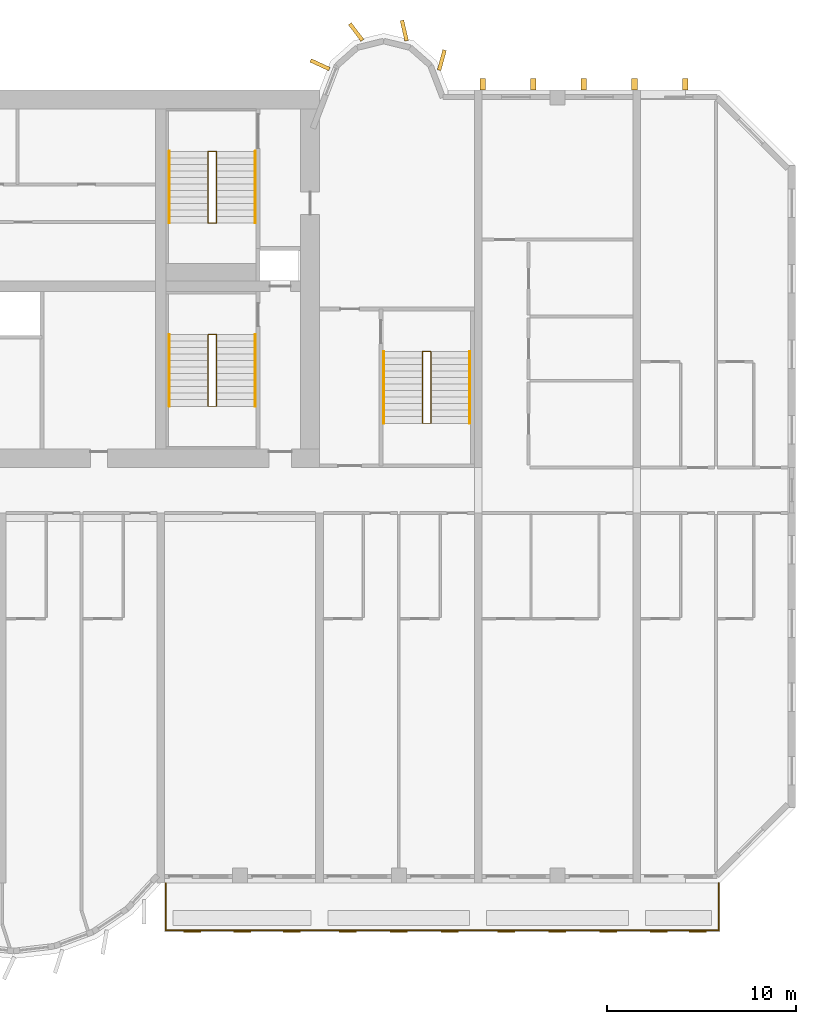
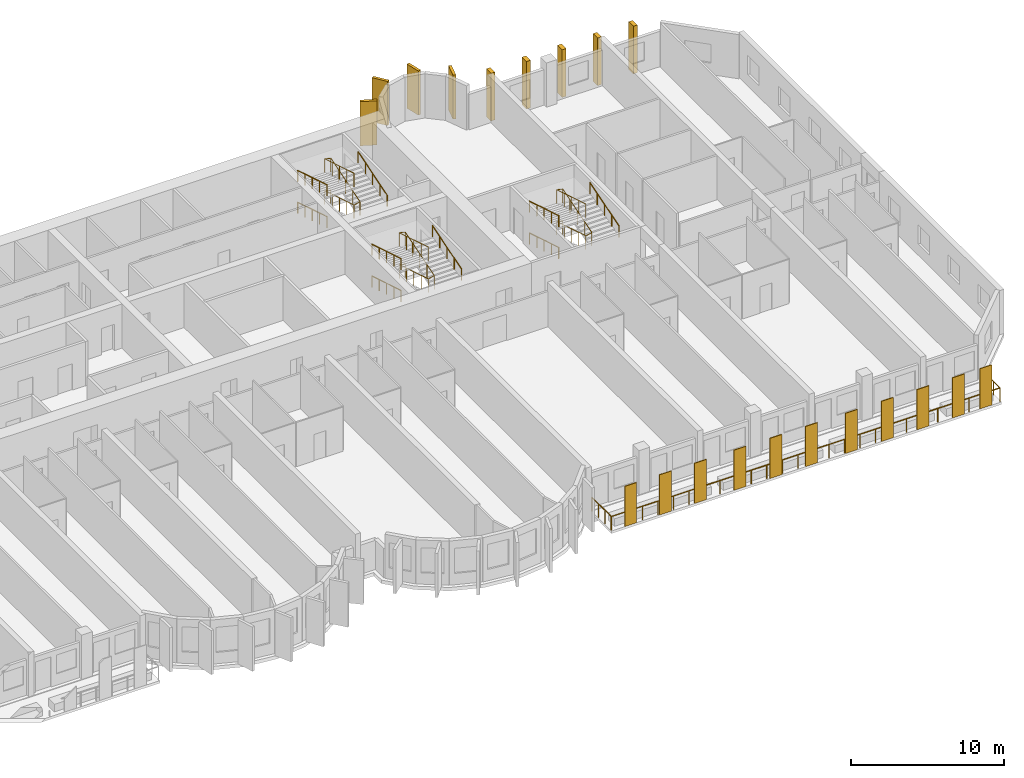
# One storey, part 14 of 15: 20 coverings, 13 railings.
"""IFC4 building model written with IfcOpenShell, lengths in metres."""

from ifc_helpers import new_model, si_unit, direction, frame, origin, origin_2d, place, context, subcontext, project, spatial, rectangle, circle, extrude, source, transform, mapped, material, layer, layer_set, material_profile, profile_set, type_object, element, save


model = new_model("IFC4")

# Units and contexts
model_context = context("Model", 3, precision=1e-05, world=origin(), true_north=direction((0.0, 1.0)))
body_context = subcontext(model_context, "Body", "Model", "MODEL_VIEW")
ifc_project = project(units=[si_unit("LENGTHUNIT", "METRE"), si_unit("AREAUNIT", "SQUARE_METRE"), si_unit("VOLUMEUNIT", "CUBIC_METRE"), si_unit("PLANEANGLEUNIT", "RADIAN"), si_unit("MASSUNIT", "GRAM", prefix="KILO")], contexts=[model_context])

# Site, building, storey
site_placement = place(None, origin())
site = spatial("IfcSite", under=ifc_project, at=site_placement, CompositionType="ELEMENT")
building_placement = place(site_placement, origin())
building = spatial("IfcBuilding", under=site, at=building_placement, Name="Vanashikhar Sky Hotel", CompositionType="ELEMENT")
storey_placement = place(building_placement, frame((0.0, 0.0, 77.199951171875)))
storey = spatial("IfcBuildingStorey", under=building, at=storey_placement, Name="L18", CompositionType="ELEMENT", Elevation=77.199951171875)

# Railing
ifc_material_1 = material(Name="Stainless steel 316", Category="steel")
railing_type_1 = type_object("IfcRailingType", Name="Balcony guard 1100", PredefinedType="GUARDRAIL", material=ifc_material_1)
shared_shape_1 = source(origin(), body_context, "Body", "SweptSolid", [
    extrude(circle(Radius=0.02392578125, at=origin_2d()), frame((0.0, 0.0, 1.076171875), z_axis=(0.0, -1.0, 0.0), x_axis=(1.0, 0.0, 0.0)), (0.0, 0.0, 1.0), 2.5),
    extrude(circle(Radius=0.02392578125, at=origin_2d()), frame((0.0, -2.5, 1.076171875), z_axis=(1.0, 0.0, 0.0), x_axis=(0.0, 1.0, 0.0)), (0.0, 0.0, 1.0), 29.280029296875),
    extrude(circle(Radius=0.02392578125, at=origin_2d()), frame((29.280029296875, -2.5, 1.076171875), z_axis=(0.0, 1.0, 0.0), x_axis=(-1.0, 0.0, 0.0)), (0.0, 0.0, 1.0), 2.5),
    extrude(circle(Radius=0.02099609375, at=origin_2d()), origin(), (0.0, 0.0, 1.0), 1.052001953125),
    extrude(circle(Radius=0.02099609375, at=origin_2d()), frame((0.0, -0.833251953125, 0.0)), (0.0, 0.0, 1.0), 1.052001953125),
    extrude(circle(Radius=0.02099609375, at=origin_2d()), frame((0.0, -1.666748046875, 0.0)), (0.0, 0.0, 1.0), 1.052001953125),
    extrude(circle(Radius=0.02099609375, at=origin_2d()), frame((0.0, -2.5, 0.0)), (0.0, 0.0, 1.0), 1.052001953125),
    extrude(circle(Radius=0.02099609375, at=origin_2d()), frame((1.171142578125, -2.5, 0.0)), (0.0, 0.0, 1.0), 1.052001953125),
    extrude(circle(Radius=0.02099609375, at=origin_2d()), frame((2.34228515625, -2.5, 0.0)), (0.0, 0.0, 1.0), 1.052001953125),
    extrude(circle(Radius=0.02099609375, at=origin_2d()), frame((3.513671875, -2.5, 0.0)), (0.0, 0.0, 1.0), 1.052001953125),
    extrude(circle(Radius=0.02099609375, at=origin_2d()), frame((4.684814453125, -2.5, 0.0)), (0.0, 0.0, 1.0), 1.052001953125),
    extrude(circle(Radius=0.02099609375, at=origin_2d()), frame((5.85595703125, -2.5, 0.0)), (0.0, 0.0, 1.0), 1.052001953125),
    extrude(circle(Radius=0.02099609375, at=origin_2d()), frame((7.027099609375, -2.5, 0.0)), (0.0, 0.0, 1.0), 1.052001953125),
    extrude(circle(Radius=0.02099609375, at=origin_2d()), frame((8.198486328125, -2.5, 0.0)), (0.0, 0.0, 1.0), 1.052001953125),
    extrude(circle(Radius=0.02099609375, at=origin_2d()), frame((9.36962890625, -2.5, 0.0)), (0.0, 0.0, 1.0), 1.052001953125),
    extrude(circle(Radius=0.02099609375, at=origin_2d()), frame((10.540771484375, -2.5, 0.0)), (0.0, 0.0, 1.0), 1.052001953125),
    extrude(circle(Radius=0.02099609375, at=origin_2d()), frame((11.7119140625, -2.5, 0.0)), (0.0, 0.0, 1.0), 1.052001953125),
    extrude(circle(Radius=0.02099609375, at=origin_2d()), frame((12.88330078125, -2.5, 0.0)), (0.0, 0.0, 1.0), 1.052001953125),
    extrude(circle(Radius=0.02099609375, at=origin_2d()), frame((14.054443359375, -2.5, 0.0)), (0.0, 0.0, 1.0), 1.052001953125),
    extrude(circle(Radius=0.02099609375, at=origin_2d()), frame((15.2255859375, -2.5, 0.0)), (0.0, 0.0, 1.0), 1.052001953125),
    extrude(circle(Radius=0.02099609375, at=origin_2d()), frame((16.396728515625, -2.5, 0.0)), (0.0, 0.0, 1.0), 1.052001953125),
    extrude(circle(Radius=0.02099609375, at=origin_2d()), frame((17.568115234375, -2.5, 0.0)), (0.0, 0.0, 1.0), 1.052001953125),
    extrude(circle(Radius=0.02099609375, at=origin_2d()), frame((18.7392578125, -2.5, 0.0)), (0.0, 0.0, 1.0), 1.052001953125),
    extrude(circle(Radius=0.02099609375, at=origin_2d()), frame((19.910400390625, -2.5, 0.0)), (0.0, 0.0, 1.0), 1.052001953125),
    extrude(circle(Radius=0.02099609375, at=origin_2d()), frame((21.08154296875, -2.5, 0.0)), (0.0, 0.0, 1.0), 1.052001953125),
    extrude(circle(Radius=0.02099609375, at=origin_2d()), frame((22.2529296875, -2.5, 0.0)), (0.0, 0.0, 1.0), 1.052001953125),
    extrude(circle(Radius=0.02099609375, at=origin_2d()), frame((23.424072265625, -2.5, 0.0)), (0.0, 0.0, 1.0), 1.052001953125),
    extrude(circle(Radius=0.02099609375, at=origin_2d()), frame((24.59521484375, -2.5, 0.0)), (0.0, 0.0, 1.0), 1.052001953125),
    extrude(circle(Radius=0.02099609375, at=origin_2d()), frame((25.766357421875, -2.5, 0.0)), (0.0, 0.0, 1.0), 1.052001953125),
    extrude(circle(Radius=0.02099609375, at=origin_2d()), frame((26.937744140625, -2.5, 0.0)), (0.0, 0.0, 1.0), 1.052001953125),
    extrude(circle(Radius=0.02099609375, at=origin_2d()), frame((28.10888671875, -2.5, 0.0)), (0.0, 0.0, 1.0), 1.052001953125),
    extrude(circle(Radius=0.02099609375, at=origin_2d()), frame((29.280029296875, -2.5, 0.0)), (0.0, 0.0, 1.0), 1.052001953125),
    extrude(circle(Radius=0.02099609375, at=origin_2d()), frame((29.280029296875, -1.666748046875, 0.0)), (0.0, 0.0, 1.0), 1.052001953125),
    extrude(circle(Radius=0.02099609375, at=origin_2d()), frame((29.280029296875, -0.833251953125, 0.0)), (0.0, 0.0, 1.0), 1.052001953125),
    extrude(circle(Radius=0.02099609375, at=origin_2d()), frame((29.280029296875, 0.0, 0.0)), (0.0, 0.0, 1.0), 1.052001953125),
])
railing_1_placement = place(storey_placement, frame((67.4599609375, 0.0, -0.050048828125)))
element("IfcRailing", 1, at=railing_1_placement, inside=storey, type_object=railing_type_1, Name="Balcony guard", PredefinedType="GUARDRAIL", context=body_context, shape_type="MappedRepresentation", body=[
    mapped(shared_shape_1, transform((0.0, 0.0, 0.0), scale=1.0)),
])

# Coverings
ifc_material_2 = material(Name="Concrete M60 dark", Category="concrete")
ifc_material_profile_1 = material_profile(ifc_material_2, rectangle(XDim=1.10009765625, YDim=0.199951171875, at=origin_2d()))
ifc_profile_set_1 = profile_set([ifc_material_profile_1], Name="Rear lobe fin 1100 x 200")
covering_type_1 = type_object("IfcCoveringType", Name="Rear lobe fin 1100 x 200", PredefinedType="CLADDING", material=ifc_profile_set_1)
shared_shape_2 = source(origin(), body_context, "Body", "SweptSolid", [
    extrude(rectangle(XDim=1.10009765625, YDim=0.199951171875, at=origin_2d()), origin(), (0.0, 0.0, 1.0), 3.52001953125),
])
for number, where, z_axis, x_axis, name in (
    (2, (75.63037109375, 43.33447265625, 0.0), (0.0, 0.0, 1.0), (-0.908004291068, 0.418960866193, 0.0), "Fin R2-1"),
    (3, (77.5380859375, 45.06640625, 0.0), (0.0, 0.0, 1.0), (-0.602065892195, 0.798446404874, 0.0), "Fin R2-2"),
    (4, (80.08984375, 45.1455078125, 0.0), (0.0, 0.0, 1.0), (-0.224644935864, 0.974440687159, 0.0), "Fin R2-3"),
    (5, (82.0791015625, 43.580078125, 0.0), (0.0, 0.0, 1.0), (0.262711264409, 0.964874495234, 0.0), "Fin R2-4"),
):
    element("IfcCovering", number, at=place(storey_placement, frame(where, z_axis=z_axis, x_axis=x_axis)), inside=storey, type_object=covering_type_1, Name=name, PredefinedType="CLADDING", context=body_context, shape_type="MappedRepresentation", body=[
        mapped(shared_shape_2, transform((0.0, 0.0, 0.0), scale=1.0)),
    ])
ifc_material_3 = material(Name="Terracotta", Category="masonry")
ifc_layer = layer(ifc_material_3, 0.06005859375)
ifc_layer_set = layer_set([ifc_layer], Name="Terracotta baguette screen")
covering_type_2 = type_object("IfcCoveringType", Name="Terracotta baguette screen", PredefinedType="CLADDING", material=ifc_layer_set)
shared_shape_3 = source(origin(), body_context, "Body", "SweptSolid", [
    extrude(rectangle(XDim=0.89990234375, YDim=0.06005859375, at=origin_2d()), origin(), (0.0, 0.0, 1.0), 3.199951171875),
])
for number, where, z_axis, x_axis, name in (
    (6, (68.86669921875, -2.570068359375, -0.0498046875), (0.0, 0.0, 1.0), (1.0, 0.0, 0.0), "Terracotta screen"),
    (7, (71.5, -2.570068359375, -0.0498046875), (0.0, 0.0, 1.0), (1.0, 0.0, 0.0), "Terracotta screen"),
    (8, (74.13330078125, -2.570068359375, -0.0498046875), (0.0, 0.0, 1.0), (1.0, 0.0, 0.0), "Terracotta screen"),
    (9, (77.10009765625, -2.570068359375, -0.0498046875), (0.0, 0.0, 1.0), (1.0, 0.0, 0.0), "Terracotta screen"),
    (10, (79.800048828125, -2.570068359375, -0.0498046875), (0.0, 0.0, 1.0), (1.0, 0.0, 0.0), "Terracotta screen"),
    (11, (82.5, -2.570068359375, -0.0498046875), (0.0, 0.0, 1.0), (1.0, 0.0, 0.0), "Terracotta screen"),
    (12, (85.5, -2.570068359375, -0.0498046875), (0.0, 0.0, 1.0), (1.0, 0.0, 0.0), "Terracotta screen"),
    (13, (88.199951171875, -2.570068359375, -0.0498046875), (0.0, 0.0, 1.0), (1.0, 0.0, 0.0), "Terracotta screen"),
    (14, (90.89990234375, -2.570068359375, -0.0498046875), (0.0, 0.0, 1.0), (1.0, 0.0, 0.0), "Terracotta screen"),
    (15, (93.574951171875, -2.570068359375, -0.0498046875), (0.0, 0.0, 1.0), (1.0, 0.0, 0.0), "Terracotta screen"),
    (16, (95.625, -2.570068359375, -0.0498046875), (0.0, 0.0, 1.0), (1.0, 0.0, 0.0), "Terracotta screen"),
):
    element("IfcCovering", number, at=place(storey_placement, frame(where, z_axis=z_axis, x_axis=x_axis)), inside=storey, type_object=covering_type_2, Name=name, PredefinedType="CLADDING", context=body_context, shape_type="MappedRepresentation", body=[
        mapped(shared_shape_3, transform((0.0, 0.0, 0.0), scale=1.0)),
    ])
ifc_material_profile_2 = material_profile(ifc_material_2, rectangle(XDim=0.60009765625, YDim=0.300048828125, at=origin_2d()))
ifc_profile_set_2 = profile_set([ifc_material_profile_2], Name="Rear rib 600 x 300")
covering_type_3 = type_object("IfcCoveringType", Name="Rear rib 600 x 300", PredefinedType="CLADDING", material=ifc_profile_set_2)
shared_shape_4 = source(origin(), body_context, "Body", "SweptSolid", [
    extrude(rectangle(XDim=0.60009765625, YDim=0.300048828125, at=origin_2d()), origin(), (0.0, 0.0, 1.0), 3.800048828125),
])
for number, where, z_axis, x_axis, name in (
    (17, (84.239990234375, 42.300048828125, -0.280029296875), (0.0, 0.0, 1.0), (0.0, 1.0, 0.0), "Rear rib"),
    (18, (86.919921875, 42.300048828125, -0.280029296875), (0.0, 0.0, 1.0), (0.0, 1.0, 0.0), "Rear rib"),
    (19, (89.60009765625, 42.300048828125, -0.280029296875), (0.0, 0.0, 1.0), (0.0, 1.0, 0.0), "Rear rib"),
    (20, (92.280029296875, 42.300048828125, -0.280029296875), (0.0, 0.0, 1.0), (0.0, 1.0, 0.0), "Rear rib"),
    (21, (94.9599609375, 42.300048828125, -0.280029296875), (0.0, 0.0, 1.0), (0.0, 1.0, 0.0), "Rear rib"),
):
    element("IfcCovering", number, at=place(storey_placement, frame(where, z_axis=z_axis, x_axis=x_axis)), inside=storey, type_object=covering_type_3, Name=name, PredefinedType="CLADDING", context=body_context, shape_type="MappedRepresentation", body=[
        mapped(shared_shape_4, transform((0.0, 0.0, 0.0), scale=1.0)),
    ])

# Railings
ifc_material_4 = material(Name="Steel S355", Category="steel")
railing_type_2 = type_object("IfcRailingType", Name="Stair handrail 900", PredefinedType="HANDRAIL", material=ifc_material_4)
shared_shape_5 = source(origin(), body_context, "Body", "SweptSolid", [
    extrude(circle(Radius=0.02392578125, at=origin_2d()), frame((0.0, 0.0, 0.8759765625), z_axis=(0.0, 0.95635109408, 0.292220096591), x_axis=(-1.0, 0.0, 0.0)), (0.0, 0.0, 1.0), 3.973388671875),
    extrude(circle(Radius=0.02099609375, at=origin_2d()), origin(), (0.0, 0.0, 1.0), 0.851806640625),
    extrude(circle(Radius=0.02099609375, at=origin_2d()), frame((0.0, 0.949951171875, 0.290283203125)), (0.0, 0.0, 1.0), 0.851806640625),
    extrude(circle(Radius=0.02099609375, at=origin_2d()), frame((0.0, 1.89990234375, 0.58056640625)), (0.0, 0.0, 1.0), 0.851806640625),
    extrude(circle(Radius=0.02099609375, at=origin_2d()), frame((0.0, 2.85009765625, 0.870849609375)), (0.0, 0.0, 1.0), 0.851806640625),
    extrude(circle(Radius=0.02099609375, at=origin_2d()), frame((0.0, 3.800048828125, 1.1611328125)), (0.0, 0.0, 1.0), 0.851806640625),
])
for number, where, name in (
    (22, (72.199951171875, 25.25, 1.372314453125), "Exit stair 2 handrail"),
    (23, (72.199951171875, 34.949951171875, 1.372314453125), "Exit stair 6 handrail"),
):
    element("IfcRailing", number, at=place(storey_placement, frame(where)), inside=storey, type_object=railing_type_2, Name=name, PredefinedType="HANDRAIL", context=body_context, shape_type="MappedRepresentation", body=[
        mapped(shared_shape_5, transform((0.0, 0.0, 0.0), scale=1.0)),
    ])
shared_shape_6 = source(origin(), body_context, "Body", "SweptSolid", [
    extrude(circle(Radius=0.02392578125, at=origin_2d()), frame((0.0, 0.0, 0.8759765625), z_axis=(0.0, -0.95635109408, 0.292220096591), x_axis=(1.0, 0.0, 0.0)), (0.0, 0.0, 1.0), 3.973388671875),
    extrude(circle(Radius=0.02099609375, at=origin_2d()), origin(), (0.0, 0.0, 1.0), 0.851806640625),
    extrude(circle(Radius=0.02099609375, at=origin_2d()), frame((0.0, -0.949951171875, 0.290283203125)), (0.0, 0.0, 1.0), 0.851806640625),
    extrude(circle(Radius=0.02099609375, at=origin_2d()), frame((0.0, -1.89990234375, 0.58056640625)), (0.0, 0.0, 1.0), 0.851806640625),
    extrude(circle(Radius=0.02099609375, at=origin_2d()), frame((0.0, -2.85009765625, 0.870849609375)), (0.0, 0.0, 1.0), 0.851806640625),
    extrude(circle(Radius=0.02099609375, at=origin_2d()), frame((0.0, -3.800048828125, 1.1611328125)), (0.0, 0.0, 1.0), 0.851806640625),
])
for number, where, name in (
    (24, (67.64990234375, 29.050048828125, 2.638916015625), "Exit stair 2 handrail"),
    (25, (67.64990234375, 38.75, 2.638916015625), "Exit stair 6 handrail"),
):
    element("IfcRailing", number, at=place(storey_placement, frame(where)), inside=storey, type_object=railing_type_2, Name=name, PredefinedType="HANDRAIL", context=body_context, shape_type="MappedRepresentation", body=[
        mapped(shared_shape_6, transform((0.0, 0.0, 0.0), scale=1.0)),
    ])
shared_shape_7 = source(origin(), body_context, "Body", "SweptSolid", [
    extrude(circle(Radius=0.02392578125, at=origin_2d()), frame((0.0, 0.0, 0.8759765625), z_axis=(0.0, -0.956368263741, 0.292163899395), x_axis=(1.0, 0.0, 0.0)), (0.0, 0.0, 1.0), 3.973388671875),
    extrude(circle(Radius=0.02099609375, at=origin_2d()), origin(), (0.0, 0.0, 1.0), 0.851806640625),
    extrude(circle(Radius=0.02099609375, at=origin_2d()), frame((0.0, -0.949951171875, 0.290283203125)), (0.0, 0.0, 1.0), 0.851806640625),
    extrude(circle(Radius=0.02099609375, at=origin_2d()), frame((0.0, -1.89990234375, 0.58056640625)), (0.0, 0.0, 1.0), 0.851806640625),
    extrude(circle(Radius=0.02099609375, at=origin_2d()), frame((0.0, -2.85009765625, 0.87060546875)), (0.0, 0.0, 1.0), 0.851806640625),
    extrude(circle(Radius=0.02099609375, at=origin_2d()), frame((0.0, -3.800048828125, 1.160888671875)), (0.0, 0.0, 1.0), 0.851806640625),
])
for number, where, name in (
    (26, (67.64990234375, 29.050048828125, 0.105712890625), "Exit stair 2 handrail"),
    (27, (67.64990234375, 38.75, 0.105712890625), "Exit stair 6 handrail"),
):
    element("IfcRailing", number, at=place(storey_placement, frame(where)), inside=storey, type_object=railing_type_2, Name=name, PredefinedType="HANDRAIL", context=body_context, shape_type="MappedRepresentation", body=[
        mapped(shared_shape_7, transform((0.0, 0.0, 0.0), scale=1.0)),
    ])
railing_type_3 = type_object("IfcRailingType", Name="Stair guard 1100", PredefinedType="GUARDRAIL", material=ifc_material_4)
shared_shape_8 = source(origin(), body_context, "Body", "SweptSolid", [
    extrude(circle(Radius=0.02392578125, at=origin_2d()), frame((0.0, 0.0, 1.076171875), z_axis=(-0.973493315427, 0.0, 0.228715466945), x_axis=(0.0, -1.0, 0.0)), (0.0, 0.0, 1.0), 0.462158203125),
    extrude(circle(Radius=0.02392578125, at=origin_2d()), frame((-0.449951171875, 0.0, 1.181640625), z_axis=(0.0, -0.956368263741, 0.292163899395), x_axis=(1.0, 0.0, 0.0)), (0.0, 0.0, 1.0), 3.973388671875),
    extrude(circle(Radius=0.02392578125, at=origin_2d()), frame((-0.449951171875, -3.800048828125, 2.3427734375), z_axis=(0.973493315427, 0.0, 0.228715466945), x_axis=(0.0, 1.0, 0.0)), (0.0, 0.0, 1.0), 0.462158203125),
    extrude(circle(Radius=0.02392578125, at=origin_2d()), frame((0.0, -3.800048828125, 2.4482421875), z_axis=(0.0, 0.95635109408, 0.292220096591), x_axis=(-1.0, 0.0, 0.0)), (0.0, 0.0, 1.0), 3.973388671875),
    extrude(circle(Radius=0.02392578125, at=origin_2d()), frame((0.0, 0.0, 3.609375), z_axis=(-0.973610808694, 0.0, 0.228214796178), x_axis=(0.0, -1.0, 0.0)), (0.0, 0.0, 1.0), 0.462158203125),
    extrude(circle(Radius=0.02392578125, at=origin_2d()), frame((-0.449951171875, 0.0, 3.71484375), z_axis=(0.0, -0.95635109408, 0.292220096591), x_axis=(1.0, 0.0, 0.0)), (0.0, 0.0, 1.0), 3.973388671875),
    extrude(circle(Radius=0.02099609375, at=origin_2d()), origin(), (0.0, 0.0, 1.0), 1.052001953125),
    extrude(circle(Radius=0.02099609375, at=origin_2d()), frame((-0.449951171875, 0.0, 0.105712890625)), (0.0, 0.0, 1.0), 1.052001953125),
    extrude(circle(Radius=0.02099609375, at=origin_2d()), frame((-0.449951171875, -0.949951171875, 0.39599609375)), (0.0, 0.0, 1.0), 1.052001953125),
    extrude(circle(Radius=0.02099609375, at=origin_2d()), frame((-0.449951171875, -1.89990234375, 0.68603515625)), (0.0, 0.0, 1.0), 1.052001953125),
    extrude(circle(Radius=0.02099609375, at=origin_2d()), frame((-0.449951171875, -2.85009765625, 0.976318359375)), (0.0, 0.0, 1.0), 1.052001953125),
    extrude(circle(Radius=0.02099609375, at=origin_2d()), frame((-0.449951171875, -3.800048828125, 1.2666015625)), (0.0, 0.0, 1.0), 1.052001953125),
    extrude(circle(Radius=0.02099609375, at=origin_2d()), frame((0.0, -3.800048828125, 1.372314453125)), (0.0, 0.0, 1.0), 1.052001953125),
    extrude(circle(Radius=0.02099609375, at=origin_2d()), frame((0.0, -2.85009765625, 1.66259765625)), (0.0, 0.0, 1.0), 1.052001953125),
    extrude(circle(Radius=0.02099609375, at=origin_2d()), frame((0.0, -1.89990234375, 1.952880859375)), (0.0, 0.0, 1.0), 1.052001953125),
    extrude(circle(Radius=0.02099609375, at=origin_2d()), frame((0.0, -0.949951171875, 2.2431640625)), (0.0, 0.0, 1.0), 1.052001953125),
    extrude(circle(Radius=0.02099609375, at=origin_2d()), frame((0.0, 0.0, 2.533447265625)), (0.0, 0.0, 1.0), 1.052001953125),
    extrude(circle(Radius=0.02099609375, at=origin_2d()), frame((-0.449951171875, 0.0, 2.638916015625)), (0.0, 0.0, 1.0), 1.052001953125),
    extrude(circle(Radius=0.02099609375, at=origin_2d()), frame((-0.449951171875, -0.949951171875, 2.92919921875)), (0.0, 0.0, 1.0), 1.052001953125),
    extrude(circle(Radius=0.02099609375, at=origin_2d()), frame((-0.449951171875, -1.89990234375, 3.219482421875)), (0.0, 0.0, 1.0), 1.052001953125),
    extrude(circle(Radius=0.02099609375, at=origin_2d()), frame((-0.449951171875, -2.85009765625, 3.509765625)), (0.0, 0.0, 1.0), 1.052001953125),
    extrude(circle(Radius=0.02099609375, at=origin_2d()), frame((-0.449951171875, -3.800048828125, 3.800048828125)), (0.0, 0.0, 1.0), 1.052001953125),
])
for number, where, name in (
    (28, (70.14990234375, 29.050048828125, 0.0), "Exit stair 2 guard"),
    (29, (70.14990234375, 38.75, 0.0), "Exit stair 6 guard"),
):
    element("IfcRailing", number, at=place(storey_placement, frame(where)), inside=storey, type_object=railing_type_3, Name=name, PredefinedType="GUARDRAIL", context=body_context, shape_type="MappedRepresentation", body=[
        mapped(shared_shape_8, transform((0.0, 0.0, 0.0), scale=1.0)),
    ])
shared_shape_9 = source(origin(), body_context, "Body", "SweptSolid", [
    extrude(circle(Radius=0.02392578125, at=origin_2d()), frame((0.0, 0.0, 0.8759765625), z_axis=(0.0, 0.956345846891, 0.292237268557), x_axis=(-1.0, 0.0, 0.0)), (0.0, 0.0, 1.0), 3.97314453125),
    extrude(circle(Radius=0.02099609375, at=origin_2d()), origin(), (0.0, 0.0, 1.0), 0.851806640625),
    extrude(circle(Radius=0.02099609375, at=origin_2d()), frame((0.0, 0.949951171875, 0.290283203125)), (0.0, 0.0, 1.0), 0.851806640625),
    extrude(circle(Radius=0.02099609375, at=origin_2d()), frame((0.0, 1.89990234375, 0.58056640625)), (0.0, 0.0, 1.0), 0.851806640625),
    extrude(circle(Radius=0.02099609375, at=origin_2d()), frame((0.0, 2.849853515625, 0.870849609375)), (0.0, 0.0, 1.0), 0.851806640625),
    extrude(circle(Radius=0.02099609375, at=origin_2d()), frame((0.0, 3.7998046875, 1.1611328125)), (0.0, 0.0, 1.0), 0.851806640625),
])
railing_2_placement = place(storey_placement, frame((83.550048828125, 24.35009765625, 1.372314453125)))
element("IfcRailing", 30, at=railing_2_placement, inside=storey, type_object=railing_type_2, Name="Exit stair 4 handrail", PredefinedType="HANDRAIL", context=body_context, shape_type="MappedRepresentation", body=[
    mapped(shared_shape_9, transform((0.0, 0.0, 0.0), scale=1.0)),
])
shared_shape_10 = source(origin(), body_context, "Body", "SweptSolid", [
    extrude(circle(Radius=0.02392578125, at=origin_2d()), frame((0.0, 0.0, 0.8759765625), z_axis=(0.0, -0.956345846891, 0.292237268557), x_axis=(1.0, 0.0, 0.0)), (0.0, 0.0, 1.0), 3.97314453125),
    extrude(circle(Radius=0.02099609375, at=origin_2d()), origin(), (0.0, 0.0, 1.0), 0.851806640625),
    extrude(circle(Radius=0.02099609375, at=origin_2d()), frame((0.0, -0.949951171875, 0.290283203125)), (0.0, 0.0, 1.0), 0.851806640625),
    extrude(circle(Radius=0.02099609375, at=origin_2d()), frame((0.0, -1.89990234375, 0.58056640625)), (0.0, 0.0, 1.0), 0.851806640625),
    extrude(circle(Radius=0.02099609375, at=origin_2d()), frame((0.0, -2.849853515625, 0.870849609375)), (0.0, 0.0, 1.0), 0.851806640625),
    extrude(circle(Radius=0.02099609375, at=origin_2d()), frame((0.0, -3.7998046875, 1.1611328125)), (0.0, 0.0, 1.0), 0.851806640625),
])
railing_3_placement = place(storey_placement, frame((79.0, 28.14990234375, 2.638916015625)))
element("IfcRailing", 31, at=railing_3_placement, inside=storey, type_object=railing_type_2, Name="Exit stair 4 handrail", PredefinedType="HANDRAIL", context=body_context, shape_type="MappedRepresentation", body=[
    mapped(shared_shape_10, transform((0.0, 0.0, 0.0), scale=1.0)),
])
shared_shape_11 = source(origin(), body_context, "Body", "SweptSolid", [
    extrude(circle(Radius=0.02392578125, at=origin_2d()), frame((0.0, 0.0, 1.076171875), z_axis=(-0.973493315427, 0.0, 0.228715466945), x_axis=(0.0, -1.0, 0.0)), (0.0, 0.0, 1.0), 0.462158203125),
    extrude(circle(Radius=0.02392578125, at=origin_2d()), frame((-0.449951171875, 0.0, 1.181640625), z_axis=(0.0, -0.956363018476, 0.292181068675), x_axis=(1.0, 0.0, 0.0)), (0.0, 0.0, 1.0), 3.97314453125),
    extrude(circle(Radius=0.02392578125, at=origin_2d()), frame((-0.449951171875, -3.7998046875, 2.3427734375), z_axis=(0.973493315427, 0.0, 0.228715466945), x_axis=(0.0, 1.0, 0.0)), (0.0, 0.0, 1.0), 0.462158203125),
    extrude(circle(Radius=0.02392578125, at=origin_2d()), frame((0.0, -3.7998046875, 2.4482421875), z_axis=(0.0, 0.956345846891, 0.292237268557), x_axis=(-1.0, 0.0, 0.0)), (0.0, 0.0, 1.0), 3.97314453125),
    extrude(circle(Radius=0.02392578125, at=origin_2d()), frame((0.0, 0.0, 3.609375), z_axis=(-0.973610808694, 0.0, 0.228214796178), x_axis=(0.0, -1.0, 0.0)), (0.0, 0.0, 1.0), 0.462158203125),
    extrude(circle(Radius=0.02392578125, at=origin_2d()), frame((-0.449951171875, 0.0, 3.71484375), z_axis=(0.0, -0.956345846891, 0.292237268557), x_axis=(1.0, 0.0, 0.0)), (0.0, 0.0, 1.0), 3.97314453125),
    extrude(circle(Radius=0.02099609375, at=origin_2d()), origin(), (0.0, 0.0, 1.0), 1.052001953125),
    extrude(circle(Radius=0.02099609375, at=origin_2d()), frame((-0.449951171875, 0.0, 0.105712890625)), (0.0, 0.0, 1.0), 1.052001953125),
    extrude(circle(Radius=0.02099609375, at=origin_2d()), frame((-0.449951171875, -0.949951171875, 0.39599609375)), (0.0, 0.0, 1.0), 1.052001953125),
    extrude(circle(Radius=0.02099609375, at=origin_2d()), frame((-0.449951171875, -1.89990234375, 0.68603515625)), (0.0, 0.0, 1.0), 1.052001953125),
    extrude(circle(Radius=0.02099609375, at=origin_2d()), frame((-0.449951171875, -2.849853515625, 0.976318359375)), (0.0, 0.0, 1.0), 1.052001953125),
    extrude(circle(Radius=0.02099609375, at=origin_2d()), frame((-0.449951171875, -3.7998046875, 1.2666015625)), (0.0, 0.0, 1.0), 1.052001953125),
    extrude(circle(Radius=0.02099609375, at=origin_2d()), frame((0.0, -3.7998046875, 1.372314453125)), (0.0, 0.0, 1.0), 1.052001953125),
    extrude(circle(Radius=0.02099609375, at=origin_2d()), frame((0.0, -2.849853515625, 1.66259765625)), (0.0, 0.0, 1.0), 1.052001953125),
    extrude(circle(Radius=0.02099609375, at=origin_2d()), frame((0.0, -1.89990234375, 1.952880859375)), (0.0, 0.0, 1.0), 1.052001953125),
    extrude(circle(Radius=0.02099609375, at=origin_2d()), frame((0.0, -0.949951171875, 2.2431640625)), (0.0, 0.0, 1.0), 1.052001953125),
    extrude(circle(Radius=0.02099609375, at=origin_2d()), frame((0.0, 0.0, 2.533447265625)), (0.0, 0.0, 1.0), 1.052001953125),
    extrude(circle(Radius=0.02099609375, at=origin_2d()), frame((-0.449951171875, 0.0, 2.638916015625)), (0.0, 0.0, 1.0), 1.052001953125),
    extrude(circle(Radius=0.02099609375, at=origin_2d()), frame((-0.449951171875, -0.949951171875, 2.92919921875)), (0.0, 0.0, 1.0), 1.052001953125),
    extrude(circle(Radius=0.02099609375, at=origin_2d()), frame((-0.449951171875, -1.89990234375, 3.219482421875)), (0.0, 0.0, 1.0), 1.052001953125),
    extrude(circle(Radius=0.02099609375, at=origin_2d()), frame((-0.449951171875, -2.849853515625, 3.509765625)), (0.0, 0.0, 1.0), 1.052001953125),
    extrude(circle(Radius=0.02099609375, at=origin_2d()), frame((-0.449951171875, -3.7998046875, 3.800048828125)), (0.0, 0.0, 1.0), 1.052001953125),
])
railing_4_placement = place(storey_placement, frame((81.5, 28.14990234375, 0.0)))
element("IfcRailing", 32, at=railing_4_placement, inside=storey, type_object=railing_type_3, Name="Exit stair 4 guard", PredefinedType="GUARDRAIL", context=body_context, shape_type="MappedRepresentation", body=[
    mapped(shared_shape_11, transform((0.0, 0.0, 0.0), scale=1.0)),
])
shared_shape_12 = source(origin(), body_context, "Body", "SweptSolid", [
    extrude(circle(Radius=0.02392578125, at=origin_2d()), frame((0.0, 0.0, 0.8759765625), z_axis=(0.0, -0.956363018476, 0.292181068675), x_axis=(1.0, 0.0, 0.0)), (0.0, 0.0, 1.0), 3.97314453125),
    extrude(circle(Radius=0.02099609375, at=origin_2d()), origin(), (0.0, 0.0, 1.0), 0.851806640625),
    extrude(circle(Radius=0.02099609375, at=origin_2d()), frame((0.0, -0.949951171875, 0.290283203125)), (0.0, 0.0, 1.0), 0.851806640625),
    extrude(circle(Radius=0.02099609375, at=origin_2d()), frame((0.0, -1.89990234375, 0.58056640625)), (0.0, 0.0, 1.0), 0.851806640625),
    extrude(circle(Radius=0.02099609375, at=origin_2d()), frame((0.0, -2.849853515625, 0.87060546875)), (0.0, 0.0, 1.0), 0.851806640625),
    extrude(circle(Radius=0.02099609375, at=origin_2d()), frame((0.0, -3.7998046875, 1.160888671875)), (0.0, 0.0, 1.0), 0.851806640625),
])
railing_5_placement = place(storey_placement, frame((79.0, 28.14990234375, 0.105712890625)))
element("IfcRailing", 33, at=railing_5_placement, inside=storey, type_object=railing_type_2, Name="Exit stair 4 handrail", PredefinedType="HANDRAIL", context=body_context, shape_type="MappedRepresentation", body=[
    mapped(shared_shape_12, transform((0.0, 0.0, 0.0), scale=1.0)),
])

save(model, "model.ifc")
